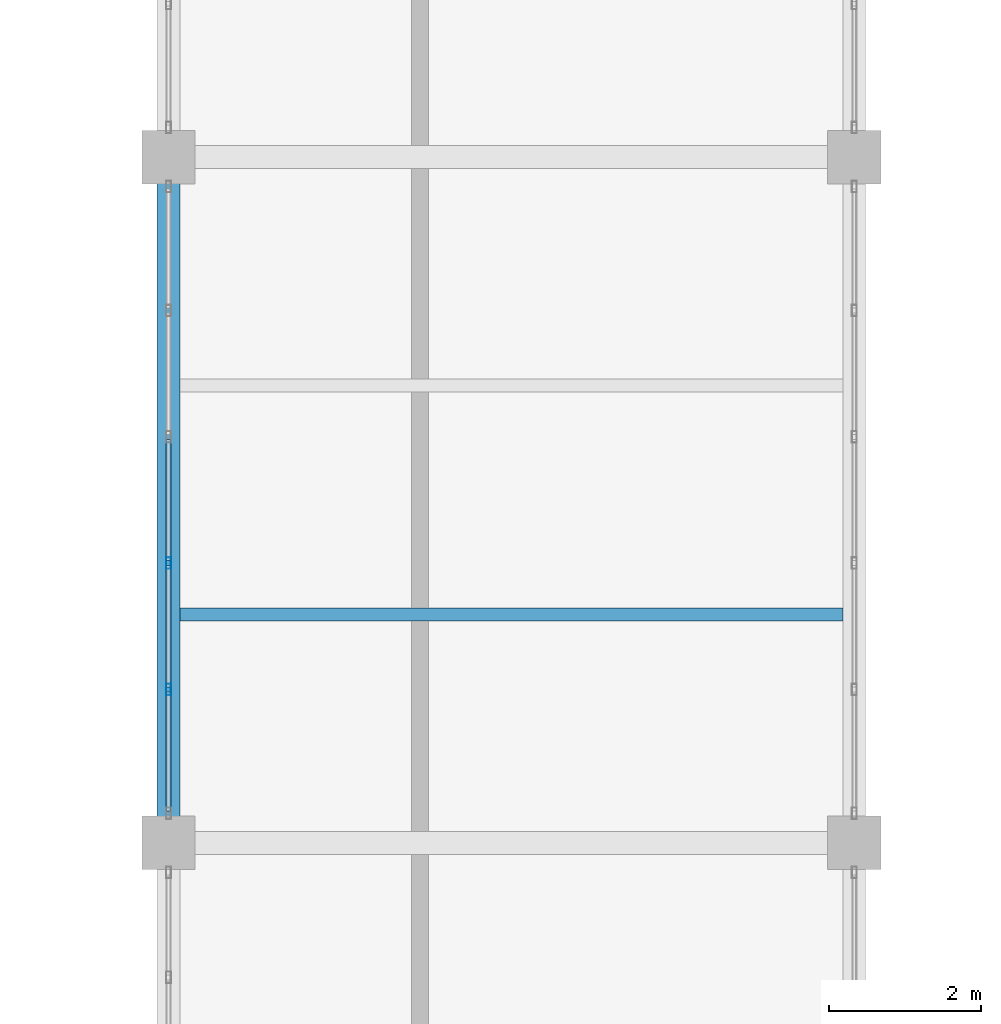
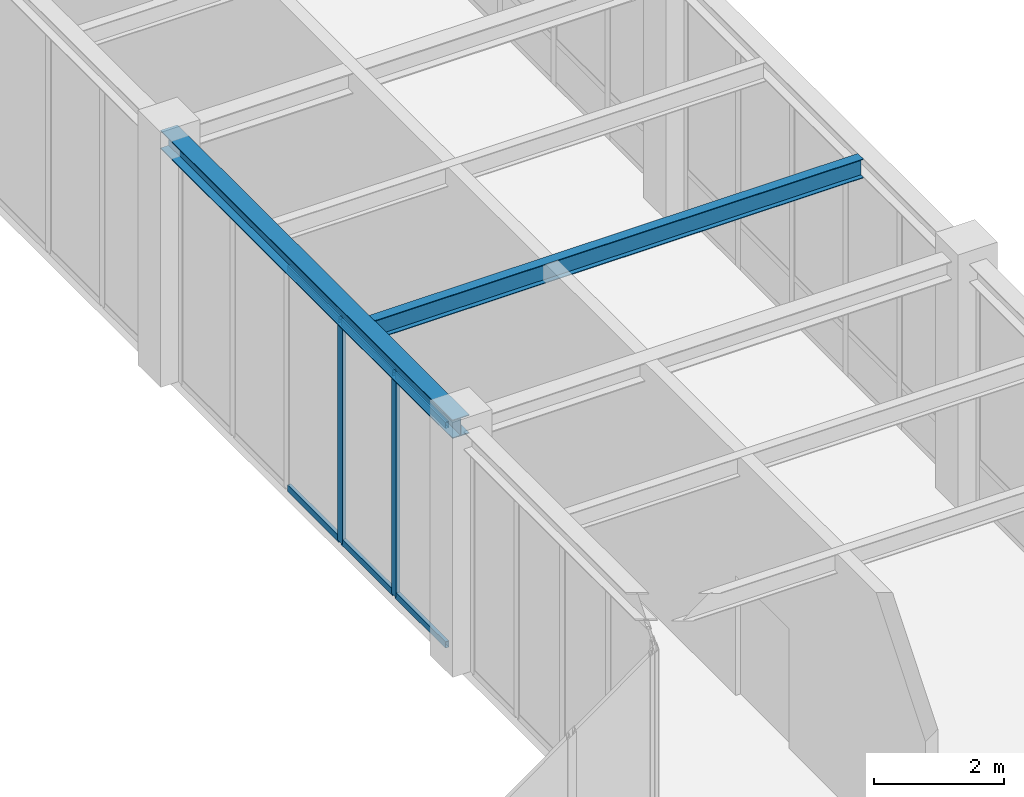
# One storey, part 38 of 92: 8 members, 2 beams, 1 element without a shape of its own.
"""IFC4 building model written with IfcOpenShell, lengths in metres."""

from ifc_helpers import new_model, si_unit, direction, frame, origin, origin_2d, place, context, subcontext, project, spatial, hollow_rectangle, i_section, extrude, material, material_profile, profile_set, type_object, element, aggregate, save


model = new_model("IFC4")

# Units and contexts
model_context = context("Model", 3, precision=1e-05, world=origin(), true_north=direction((0.0, 1.0)))
body_context = subcontext(model_context, "Body", "Model", "MODEL_VIEW")
ifc_project = project(units=[si_unit("LENGTHUNIT", "METRE"), si_unit("AREAUNIT", "SQUARE_METRE"), si_unit("VOLUMEUNIT", "CUBIC_METRE"), si_unit("PLANEANGLEUNIT", "RADIAN"), si_unit("MASSUNIT", "GRAM", prefix="KILO")], contexts=[model_context])

# Site, building, storey
site_placement = place(None, origin())
site = spatial("IfcSite", under=ifc_project, at=site_placement, CompositionType="ELEMENT")
building_placement = place(site_placement, origin())
building = spatial("IfcBuilding", under=site, at=building_placement, Name="Lykobir Media Centre", CompositionType="ELEMENT")
storey_placement = place(building_placement, frame((0.0, 0.0, 5.39990234375)))
storey = spatial("IfcBuildingStorey", under=building, at=storey_placement, Name="L01", CompositionType="ELEMENT", Elevation=5.39990234375)

# Curtain wall, members
ifc_material_1 = material(Name="Anodized Aluminium AW-6060", Category="aluminium")
curtain_wall_type = type_object("IfcCurtainWallType", Name="CW-BRIDGE", PredefinedType="NOTDEFINED", material=ifc_material_1)
curtain_wall_placement = place(storey_placement, origin())
curtain_wall = element("IfcCurtainWall", 1, at=curtain_wall_placement, inside=storey, type_object=curtain_wall_type, Name="Curtain wall CW2-L01-0038", PredefinedType="NOTDEFINED")
ifc_material_profile_1 = material_profile(ifc_material_1, hollow_rectangle(XDim=0.06494140625, YDim=0.14990234375, WallThickness=0.00341796875, at=origin_2d()), Name="ALU MULLION 65x150")
ifc_profile_set_1 = profile_set([ifc_material_profile_1], Name="Anodized Aluminium AW-6060")
member_type_1 = type_object("IfcMemberType", Name="CWM-150", PredefinedType="MULLION", material=ifc_profile_set_1)
member_1_placement = place(storey_placement, frame((90.0, 29.012939453125, 0.0), z_axis=(0.0, 0.0, 1.0), x_axis=(-1.0, 0.0, 0.0)))
member_1 = element("IfcMember", 2, at=member_1_placement, type_object=member_type_1, Name="CW2-L01-0038 mullion 2", PredefinedType="MULLION", context=body_context, shape_type="SweptSolid", body=[
    extrude(hollow_rectangle(XDim=0.06494140625, YDim=0.14990234375, WallThickness=0.00341796875, at=origin_2d()), origin(), (0.0, 0.0, 1.0), 4.195068359375),
])
member_2_placement = place(storey_placement, frame((90.0, 30.6708984375, 0.0), z_axis=(0.0, 0.0, 1.0), x_axis=(-1.0, 0.0, 0.0)))
member_2 = element("IfcMember", 3, at=member_2_placement, type_object=member_type_1, Name="CW2-L01-0038 mullion 3", PredefinedType="MULLION", context=body_context, shape_type="SweptSolid", body=[
    extrude(hollow_rectangle(XDim=0.06494140625, YDim=0.14990234375, WallThickness=0.00341796875, at=origin_2d()), origin(), (0.0, 0.0, 1.0), 4.195068359375),
])
ifc_material_profile_2 = material_profile(ifc_material_1, hollow_rectangle(XDim=0.06494140625, YDim=0.1201171875, WallThickness=0.0029296875, at=origin_2d()), Name="ALU TRANSOM 65x120")
ifc_profile_set_2 = profile_set([ifc_material_profile_2], Name="Anodized Aluminium AW-6060")
member_type_2 = type_object("IfcMemberType", Name="CWT-120", PredefinedType="USERDEFINED", material=ifc_profile_set_2)
member_3_placement = place(storey_placement, frame((90.0, 27.419921875, 0.03271484375), z_axis=(0.0, 1.0, 0.0), x_axis=(-1.0, 0.0, 0.0)))
member_3 = element("IfcMember", 4, at=member_3_placement, type_object=member_type_2, Name="CW2-L01-0038 transom 1.1", ObjectType="TRANSOM", PredefinedType="USERDEFINED", context=body_context, shape_type="SweptSolid", body=[
    extrude(hollow_rectangle(XDim=0.06494140625, YDim=0.1201171875, WallThickness=0.0029296875, at=origin_2d()), origin(), (0.0, 0.0, 1.0), 1.560546875),
])
member_4_placement = place(storey_placement, frame((90.0, 27.419921875, 4.16259765625), z_axis=(0.0, 1.0, 0.0), x_axis=(-1.0, 0.0, 0.0)))
member_4 = element("IfcMember", 5, at=member_4_placement, type_object=member_type_2, Name="CW2-L01-0038 transom 1.2", ObjectType="TRANSOM", PredefinedType="USERDEFINED", context=body_context, shape_type="SweptSolid", body=[
    extrude(hollow_rectangle(XDim=0.06494140625, YDim=0.1201171875, WallThickness=0.0029296875, at=origin_2d()), origin(), (0.0, 0.0, 1.0), 1.560546875),
])
member_5_placement = place(storey_placement, frame((90.0, 29.04541015625, 0.03271484375), z_axis=(0.0, 1.0, 0.0), x_axis=(-1.0, 0.0, 0.0)))
member_5 = element("IfcMember", 6, at=member_5_placement, type_object=member_type_2, Name="CW2-L01-0038 transom 2.1", ObjectType="TRANSOM", PredefinedType="USERDEFINED", context=body_context, shape_type="SweptSolid", body=[
    extrude(hollow_rectangle(XDim=0.06494140625, YDim=0.1201171875, WallThickness=0.0029296875, at=origin_2d()), origin(), (0.0, 0.0, 1.0), 1.593017578125),
])
member_6_placement = place(storey_placement, frame((90.0, 29.04541015625, 4.16259765625), z_axis=(0.0, 1.0, 0.0), x_axis=(-1.0, 0.0, 0.0)))
member_6 = element("IfcMember", 7, at=member_6_placement, type_object=member_type_2, Name="CW2-L01-0038 transom 2.2", ObjectType="TRANSOM", PredefinedType="USERDEFINED", context=body_context, shape_type="SweptSolid", body=[
    extrude(hollow_rectangle(XDim=0.06494140625, YDim=0.1201171875, WallThickness=0.0029296875, at=origin_2d()), origin(), (0.0, 0.0, 1.0), 1.593017578125),
])
member_7_placement = place(storey_placement, frame((90.0, 30.70361328125, 0.03271484375), z_axis=(0.0, 1.0, 0.0), x_axis=(-1.0, 0.0, 0.0)))
member_7 = element("IfcMember", 8, at=member_7_placement, type_object=member_type_2, Name="CW2-L01-0038 transom 3.1", ObjectType="TRANSOM", PredefinedType="USERDEFINED", context=body_context, shape_type="SweptSolid", body=[
    extrude(hollow_rectangle(XDim=0.06494140625, YDim=0.1201171875, WallThickness=0.0029296875, at=origin_2d()), origin(), (0.0, 0.0, 1.0), 1.5927734375),
])
member_8_placement = place(storey_placement, frame((90.0, 30.70361328125, 4.16259765625), z_axis=(0.0, 1.0, 0.0), x_axis=(-1.0, 0.0, 0.0)))
member_8 = element("IfcMember", 9, at=member_8_placement, type_object=member_type_2, Name="CW2-L01-0038 transom 3.2", ObjectType="TRANSOM", PredefinedType="USERDEFINED", context=body_context, shape_type="SweptSolid", body=[
    extrude(hollow_rectangle(XDim=0.06494140625, YDim=0.1201171875, WallThickness=0.0029296875, at=origin_2d()), origin(), (0.0, 0.0, 1.0), 1.5927734375),
])
aggregate(curtain_wall, [member_1, member_2, member_3, member_4, member_5, member_6, member_7, member_8])

# Beams
ifc_material_2 = material(Name="Steel S355", Category="steel")
ifc_material_profile_3 = material_profile(ifc_material_2, i_section(OverallWidth=0.169921875, OverallDepth=0.360107421875, WebThickness=0.008056640625, FlangeThickness=0.0126953125, at=origin_2d()), Name="IPE 360")
ifc_profile_set_3 = profile_set([ifc_material_profile_3], Name="Steel S355")
beam_type_1 = type_object("IfcBeamType", Name="JS-IPE360", PredefinedType="JOIST", material=ifc_profile_set_3)
beam_1_placement = place(storey_placement, frame((90.14990234375, 30.0, 4.380126953125), z_axis=(1.0, 0.0, 0.0), x_axis=(0.0, 1.0, 0.0)))
element("IfcBeam", 10, at=beam_1_placement, inside=storey, type_object=beam_type_1, Name="Beam BM-L01-0902-0300-0988-0300-978", PredefinedType="JOIST", context=body_context, shape_type="SweptSolid", body=[
    extrude(i_section(OverallWidth=0.169921875, OverallDepth=0.360107421875, WebThickness=0.008056640625, FlangeThickness=0.0126953125, at=origin_2d()), origin(), (0.0, 0.0, 1.0), 8.7001953125),
])
ifc_material_profile_4 = material_profile(ifc_material_2, i_section(OverallWidth=0.300048828125, OverallDepth=0.35009765625, WebThickness=0.010009765625, FlangeThickness=0.017578125, at=origin_2d()), Name="HEA 360")
ifc_profile_set_4 = profile_set([ifc_material_profile_4], Name="Steel S355")
beam_type_2 = type_object("IfcBeamType", Name="SP-HEA360-E", PredefinedType="SPANDREL", material=ifc_profile_set_4)
beam_2_placement = place(storey_placement, frame((90.0, 27.0, 4.385009765625), z_axis=(0.0, 1.0, 0.0), x_axis=(-1.0, 0.0, 0.0)))
element("IfcBeam", 11, at=beam_2_placement, inside=storey, type_object=beam_type_2, Name="Beam BM-L01-0900-0270-0900-0360-978", PredefinedType="SPANDREL", context=body_context, shape_type="SweptSolid", body=[
    extrude(i_section(OverallWidth=0.300048828125, OverallDepth=0.35009765625, WebThickness=0.010009765625, FlangeThickness=0.017578125, at=origin_2d()), origin(), (0.0, 0.0, 1.0), 9.0),
])

save(model, "model.ifc")
